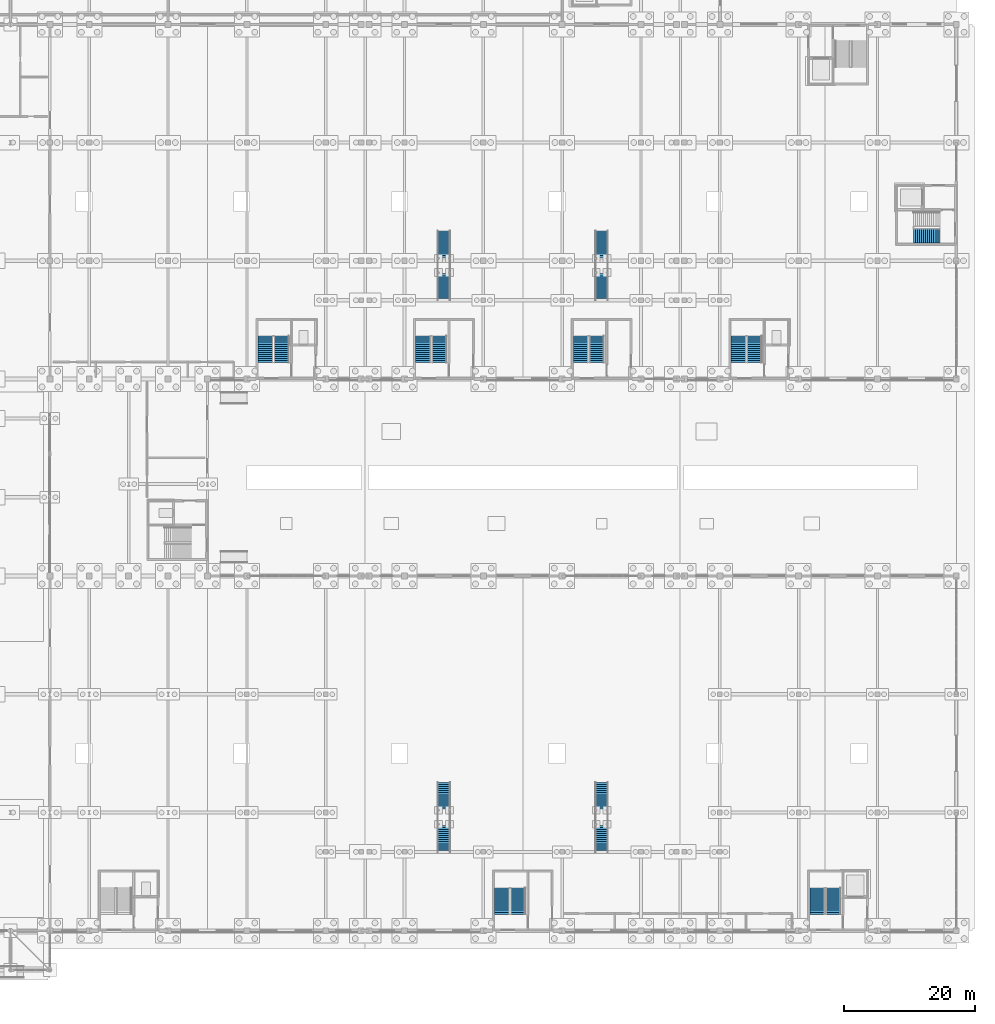
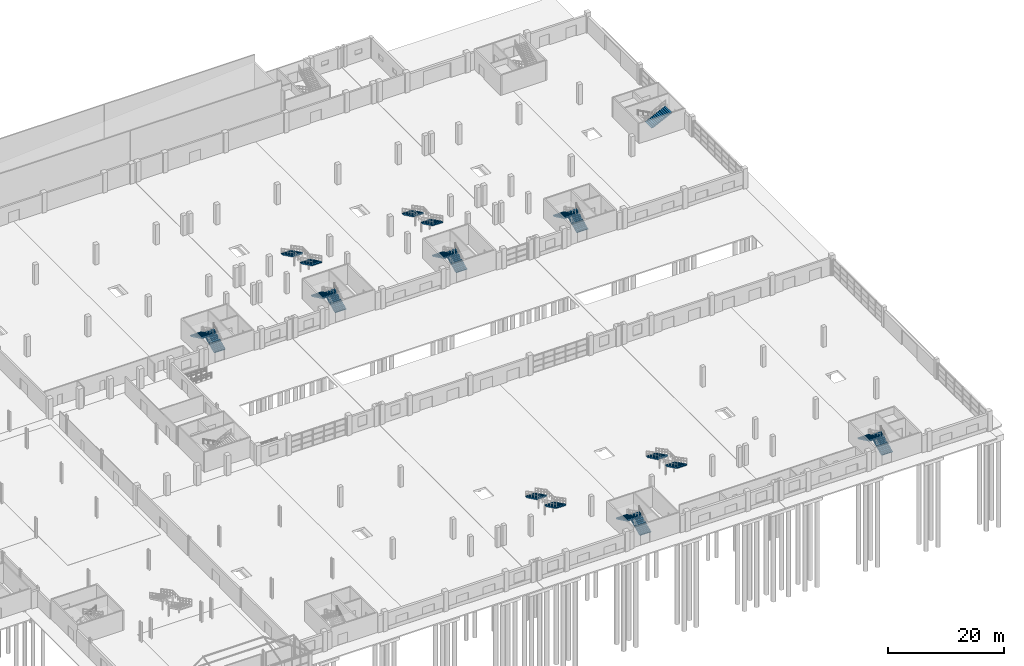
# One storey, part 68 of 77: 21 stair flights, 11 elements without a shape of their own.
"""IFC4 building model written with IfcOpenShell, lengths in metres."""

from ifc_helpers import new_model, si_unit, direction, frame, origin, place, context, subcontext, project, spatial, polyline, outline, extrude, material, type_object, element, aggregate, save


model = new_model("IFC4")

# Units and contexts
model_context = context("Model", 3, precision=1e-05, world=origin(), true_north=direction((0.0, 1.0)))
body_context = subcontext(model_context, "Body", "Model", "MODEL_VIEW")
ifc_project = project(units=[si_unit("LENGTHUNIT", "METRE"), si_unit("AREAUNIT", "SQUARE_METRE"), si_unit("VOLUMEUNIT", "CUBIC_METRE"), si_unit("PLANEANGLEUNIT", "RADIAN"), si_unit("MASSUNIT", "GRAM", prefix="KILO")], contexts=[model_context])

# Site, building, storey
site_placement = place(None, origin())
site = spatial("IfcSite", under=ifc_project, at=site_placement, CompositionType="ELEMENT")
building_placement = place(site_placement, origin())
building = spatial("IfcBuilding", under=site, at=building_placement, Name="Zilviju Railside Exhibition Hall", CompositionType="ELEMENT")
storey_placement = place(building_placement, origin())
storey = spatial("IfcBuildingStorey", under=building, at=storey_placement, Name="L01", CompositionType="ELEMENT", Elevation=0.0)

# Stair, stair flights
ifc_material = material(Name="Concrete C35/45", Category="concrete")
stair_type_1 = type_object("IfcStairType", Name="STAIR-ST-A", PredefinedType="HALF_TURN_STAIR", material=ifc_material)
stair_1_placement = place(storey_placement, origin())
stair_1 = element("IfcStair", 1, at=stair_1_placement, inside=storey, type_object=stair_type_1, Name="Core C04 North Hall Court West Exit Stair L01", PredefinedType="HALF_TURN_STAIR")
stair_flight_type_1 = type_object("IfcStairFlightType", Name="FLIGHT-ST-A", PredefinedType="STRAIGHT", material=ifc_material)
stair_flight_1_placement = place(storey_placement, frame((113.300048828125, 86.5, 0.0), z_axis=(0.0, 0.0, 1.0), x_axis=(0.0, 1.0, 0.0)))
stair_flight_1 = element("IfcStairFlight", 2, at=stair_flight_1_placement, type_object=stair_flight_type_1, Name="ST-04 flight 1", NumberOfRisers=14, NumberOfTreads=13, PredefinedType="STRAIGHT", RiserHeight=0.15, TreadLength=0.31, context=body_context, shape_type="SweptSolid", body=[
    extrude(outline(polyline([(0.0, 0.0), (0.0, 0.14990234375), (0.31005859375, 0.14990234375), (0.31005859375, 0.300048828125), (0.6201171875, 0.300048828125), (0.6201171875, 0.449951171875), (0.929931640625, 0.449951171875), (0.929931640625, 0.60009765625), (1.239990234375, 0.60009765625), (1.239990234375, 0.75), (1.550048828125, 0.75), (1.550048828125, 0.89990234375), (1.860107421875, 0.89990234375), (1.860107421875, 1.050048828125), (2.169921875, 1.050048828125), (2.169921875, 1.199951171875), (2.47998046875, 1.199951171875), (2.47998046875, 1.35009765625), (2.7900390625, 1.35009765625), (2.7900390625, 1.5), (3.10009765625, 1.5), (3.10009765625, 1.64990234375), (3.409912109375, 1.64990234375), (3.409912109375, 1.800048828125), (3.719970703125, 1.800048828125), (3.719970703125, 1.949951171875), (4.030029296875, 1.949951171875), (4.030029296875, 2.10009765625), (4.030029296875, 1.75), (0.4130859375, 0.0), (0.0, 0.0)])), frame((0.0, 1.1201171875, 0.0), z_axis=(0.0, -1.0, 0.0), x_axis=(1.0, 0.0, 0.0)), (0.0, 0.0, 1.0), 2.239990234375),
])
stair_flight_2_placement = place(storey_placement, frame((110.800048828125, 90.530029296875, 2.10009765625), z_axis=(0.0, 0.0, 1.0), x_axis=(0.0, -1.0, 0.0)))
stair_flight_2 = element("IfcStairFlight", 3, at=stair_flight_2_placement, type_object=stair_flight_type_1, Name="ST-04 flight 2", NumberOfRisers=14, NumberOfTreads=13, PredefinedType="STRAIGHT", RiserHeight=0.15, TreadLength=0.31, context=body_context, shape_type="SweptSolid", body=[
    extrude(outline(polyline([(0.0, 0.0), (0.0, 0.14990234375), (0.31005859375, 0.14990234375), (0.31005859375, 0.300048828125), (0.6201171875, 0.300048828125), (0.6201171875, 0.449951171875), (0.929931640625, 0.449951171875), (0.929931640625, 0.60009765625), (1.239990234375, 0.60009765625), (1.239990234375, 0.75), (1.550048828125, 0.75), (1.550048828125, 0.89990234375), (1.860107421875, 0.89990234375), (1.860107421875, 1.050048828125), (2.169921875, 1.050048828125), (2.169921875, 1.199951171875), (2.47998046875, 1.199951171875), (2.47998046875, 1.35009765625), (2.7900390625, 1.35009765625), (2.7900390625, 1.5), (3.10009765625, 1.5), (3.10009765625, 1.64990234375), (3.409912109375, 1.64990234375), (3.409912109375, 1.800048828125), (3.719970703125, 1.800048828125), (3.719970703125, 1.949951171875), (4.030029296875, 1.949951171875), (4.030029296875, 2.10009765625), (4.030029296875, 1.75), (0.4130859375, 0.0), (0.0, 0.0)])), frame((0.0, 1.1201171875, 0.0), z_axis=(0.0, -1.0, 0.0), x_axis=(1.0, 0.0, 0.0)), (0.0, 0.0, 1.0), 2.239990234375),
])
aggregate(stair_1, [stair_flight_1, stair_flight_2])

stair_2_placement = place(storey_placement, origin())
stair_2 = element("IfcStair", 4, at=stair_2_placement, inside=storey, type_object=stair_type_1, Name="Core C07 North Hall Court East Exit Stair L01", PredefinedType="HALF_TURN_STAIR")
stair_flight_3_placement = place(storey_placement, frame((185.300048828125, 86.5, 0.0), z_axis=(0.0, 0.0, 1.0), x_axis=(0.0, 1.0, 0.0)))
stair_flight_3 = element("IfcStairFlight", 5, at=stair_flight_3_placement, type_object=stair_flight_type_1, Name="ST-07 flight 1", NumberOfRisers=14, NumberOfTreads=13, PredefinedType="STRAIGHT", RiserHeight=0.15, TreadLength=0.31, context=body_context, shape_type="SweptSolid", body=[
    extrude(outline(polyline([(0.0, 0.0), (0.0, 0.14990234375), (0.31005859375, 0.14990234375), (0.31005859375, 0.300048828125), (0.6201171875, 0.300048828125), (0.6201171875, 0.449951171875), (0.929931640625, 0.449951171875), (0.929931640625, 0.60009765625), (1.239990234375, 0.60009765625), (1.239990234375, 0.75), (1.550048828125, 0.75), (1.550048828125, 0.89990234375), (1.860107421875, 0.89990234375), (1.860107421875, 1.050048828125), (2.169921875, 1.050048828125), (2.169921875, 1.199951171875), (2.47998046875, 1.199951171875), (2.47998046875, 1.35009765625), (2.7900390625, 1.35009765625), (2.7900390625, 1.5), (3.10009765625, 1.5), (3.10009765625, 1.64990234375), (3.409912109375, 1.64990234375), (3.409912109375, 1.800048828125), (3.719970703125, 1.800048828125), (3.719970703125, 1.949951171875), (4.030029296875, 1.949951171875), (4.030029296875, 2.10009765625), (4.030029296875, 1.75), (0.4130859375, 0.0), (0.0, 0.0)])), frame((0.0, 1.1201171875, 0.0), z_axis=(0.0, -1.0, 0.0), x_axis=(1.0, 0.0, 0.0)), (0.0, 0.0, 1.0), 2.239990234375),
])
stair_flight_4_placement = place(storey_placement, frame((182.800048828125, 90.530029296875, 2.10009765625), z_axis=(0.0, 0.0, 1.0), x_axis=(0.0, -1.0, 0.0)))
stair_flight_4 = element("IfcStairFlight", 6, at=stair_flight_4_placement, type_object=stair_flight_type_1, Name="ST-07 flight 2", NumberOfRisers=14, NumberOfTreads=13, PredefinedType="STRAIGHT", RiserHeight=0.15, TreadLength=0.31, context=body_context, shape_type="SweptSolid", body=[
    extrude(outline(polyline([(0.0, 0.0), (0.0, 0.14990234375), (0.31005859375, 0.14990234375), (0.31005859375, 0.300048828125), (0.6201171875, 0.300048828125), (0.6201171875, 0.449951171875), (0.929931640625, 0.449951171875), (0.929931640625, 0.60009765625), (1.239990234375, 0.60009765625), (1.239990234375, 0.75), (1.550048828125, 0.75), (1.550048828125, 0.89990234375), (1.860107421875, 0.89990234375), (1.860107421875, 1.050048828125), (2.169921875, 1.050048828125), (2.169921875, 1.199951171875), (2.47998046875, 1.199951171875), (2.47998046875, 1.35009765625), (2.7900390625, 1.35009765625), (2.7900390625, 1.5), (3.10009765625, 1.5), (3.10009765625, 1.64990234375), (3.409912109375, 1.64990234375), (3.409912109375, 1.800048828125), (3.719970703125, 1.800048828125), (3.719970703125, 1.949951171875), (4.030029296875, 1.949951171875), (4.030029296875, 2.10009765625), (4.030029296875, 1.75), (0.4130859375, 0.0), (0.0, 0.0)])), frame((0.0, 1.1201171875, 0.0), z_axis=(0.0, -1.0, 0.0), x_axis=(1.0, 0.0, 0.0)), (0.0, 0.0, 1.0), 2.239990234375),
])
aggregate(stair_2, [stair_flight_3, stair_flight_4])

stair_type_2 = type_object("IfcStairType", Name="STAIR-ST-B", PredefinedType="HALF_TURN_STAIR", material=ifc_material)
stair_3_placement = place(storey_placement, origin())
stair_3 = element("IfcStair", 7, at=stair_3_placement, inside=storey, type_object=stair_type_2, Name="Core C02 South Hall Mid Exit Stair L01", PredefinedType="HALF_TURN_STAIR")
stair_flight_type_2 = type_object("IfcStairFlightType", Name="FLIGHT-ST-B", PredefinedType="STRAIGHT", material=ifc_material)
stair_flight_5_placement = place(storey_placement, frame((149.300048828125, 2.5, 0.0), z_axis=(0.0, 0.0, 1.0), x_axis=(0.0, 1.0, 0.0)))
stair_flight_5 = element("IfcStairFlight", 8, at=stair_flight_5_placement, type_object=stair_flight_type_2, Name="ST-02 flight 1", NumberOfRisers=14, NumberOfTreads=13, PredefinedType="STRAIGHT", RiserHeight=0.15, TreadLength=0.31, context=body_context, shape_type="SweptSolid", body=[
    extrude(outline(polyline([(0.0, 0.0), (0.0, 0.14990234375), (0.31005859375, 0.14990234375), (0.31005859375, 0.300048828125), (0.6201171875, 0.300048828125), (0.6201171875, 0.449951171875), (0.929931640625, 0.449951171875), (0.929931640625, 0.60009765625), (1.239990234375, 0.60009765625), (1.239990234375, 0.75), (1.550048828125, 0.75), (1.550048828125, 0.89990234375), (1.860107421875, 0.89990234375), (1.860107421875, 1.050048828125), (2.169921875, 1.050048828125), (2.169921875, 1.199951171875), (2.47998046875, 1.199951171875), (2.47998046875, 1.35009765625), (2.7900390625, 1.35009765625), (2.7900390625, 1.5), (3.10009765625, 1.5), (3.10009765625, 1.64990234375), (3.409912109375, 1.64990234375), (3.409912109375, 1.800048828125), (3.719970703125, 1.800048828125), (3.719970703125, 1.949951171875), (4.030029296875, 1.949951171875), (4.030029296875, 2.10009765625), (4.030029296875, 1.75), (0.4130859375, 0.0), (0.0, 0.0)])), frame((0.0, 1.10986328125, 0.0), z_axis=(0.0, -1.0, 0.0), x_axis=(1.0, 0.0, 0.0)), (0.0, 0.0, 1.0), 2.219970703125),
])
stair_flight_6_placement = place(storey_placement, frame((146.800048828125, 6.530029296875, 2.10009765625), z_axis=(0.0, 0.0, 1.0), x_axis=(0.0, -1.0, 0.0)))
stair_flight_6 = element("IfcStairFlight", 9, at=stair_flight_6_placement, type_object=stair_flight_type_2, Name="ST-02 flight 2", NumberOfRisers=14, NumberOfTreads=13, PredefinedType="STRAIGHT", RiserHeight=0.15, TreadLength=0.31, context=body_context, shape_type="SweptSolid", body=[
    extrude(outline(polyline([(0.0, 0.0), (0.0, 0.14990234375), (0.31005859375, 0.14990234375), (0.31005859375, 0.300048828125), (0.6201171875, 0.300048828125), (0.6201171875, 0.449951171875), (0.929931640625, 0.449951171875), (0.929931640625, 0.60009765625), (1.239990234375, 0.60009765625), (1.239990234375, 0.75), (1.550048828125, 0.75), (1.550048828125, 0.89990234375), (1.860107421875, 0.89990234375), (1.860107421875, 1.050048828125), (2.169921875, 1.050048828125), (2.169921875, 1.199951171875), (2.47998046875, 1.199951171875), (2.47998046875, 1.35009765625), (2.7900390625, 1.35009765625), (2.7900390625, 1.5), (3.10009765625, 1.5), (3.10009765625, 1.64990234375), (3.409912109375, 1.64990234375), (3.409912109375, 1.800048828125), (3.719970703125, 1.800048828125), (3.719970703125, 1.949951171875), (4.030029296875, 1.949951171875), (4.030029296875, 2.10009765625), (4.030029296875, 1.75), (0.4130859375, 0.0), (0.0, 0.0)])), frame((0.0, 1.10986328125, 0.0), z_axis=(0.0, -1.0, 0.0), x_axis=(1.0, 0.0, 0.0)), (0.0, 0.0, 1.0), 2.219970703125),
])
aggregate(stair_3, [stair_flight_5, stair_flight_6])

stair_4_placement = place(storey_placement, origin())
stair_4 = element("IfcStair", 10, at=stair_4_placement, inside=storey, type_object=stair_type_2, Name="Core C05 North Hall Court MidW Exit Stair L01", PredefinedType="HALF_TURN_STAIR")
stair_flight_7_placement = place(storey_placement, frame((137.300048828125, 86.5, 0.0), z_axis=(0.0, 0.0, 1.0), x_axis=(0.0, 1.0, 0.0)))
stair_flight_7 = element("IfcStairFlight", 11, at=stair_flight_7_placement, type_object=stair_flight_type_2, Name="ST-05 flight 1", NumberOfRisers=14, NumberOfTreads=13, PredefinedType="STRAIGHT", RiserHeight=0.15, TreadLength=0.31, context=body_context, shape_type="SweptSolid", body=[
    extrude(outline(polyline([(0.0, 0.0), (0.0, 0.14990234375), (0.31005859375, 0.14990234375), (0.31005859375, 0.300048828125), (0.6201171875, 0.300048828125), (0.6201171875, 0.449951171875), (0.929931640625, 0.449951171875), (0.929931640625, 0.60009765625), (1.239990234375, 0.60009765625), (1.239990234375, 0.75), (1.550048828125, 0.75), (1.550048828125, 0.89990234375), (1.860107421875, 0.89990234375), (1.860107421875, 1.050048828125), (2.169921875, 1.050048828125), (2.169921875, 1.199951171875), (2.47998046875, 1.199951171875), (2.47998046875, 1.35009765625), (2.7900390625, 1.35009765625), (2.7900390625, 1.5), (3.10009765625, 1.5), (3.10009765625, 1.64990234375), (3.409912109375, 1.64990234375), (3.409912109375, 1.800048828125), (3.719970703125, 1.800048828125), (3.719970703125, 1.949951171875), (4.030029296875, 1.949951171875), (4.030029296875, 2.10009765625), (4.030029296875, 1.75), (0.4130859375, 0.0), (0.0, 0.0)])), frame((0.0, 1.10986328125, 0.0), z_axis=(0.0, -1.0, 0.0), x_axis=(1.0, 0.0, 0.0)), (0.0, 0.0, 1.0), 2.219970703125),
])
stair_flight_8_placement = place(storey_placement, frame((134.800048828125, 90.530029296875, 2.10009765625), z_axis=(0.0, 0.0, 1.0), x_axis=(0.0, -1.0, 0.0)))
stair_flight_8 = element("IfcStairFlight", 12, at=stair_flight_8_placement, type_object=stair_flight_type_2, Name="ST-05 flight 2", NumberOfRisers=14, NumberOfTreads=13, PredefinedType="STRAIGHT", RiserHeight=0.15, TreadLength=0.31, context=body_context, shape_type="SweptSolid", body=[
    extrude(outline(polyline([(0.0, 0.0), (0.0, 0.14990234375), (0.31005859375, 0.14990234375), (0.31005859375, 0.300048828125), (0.6201171875, 0.300048828125), (0.6201171875, 0.449951171875), (0.929931640625, 0.449951171875), (0.929931640625, 0.60009765625), (1.239990234375, 0.60009765625), (1.239990234375, 0.75), (1.550048828125, 0.75), (1.550048828125, 0.89990234375), (1.860107421875, 0.89990234375), (1.860107421875, 1.050048828125), (2.169921875, 1.050048828125), (2.169921875, 1.199951171875), (2.47998046875, 1.199951171875), (2.47998046875, 1.35009765625), (2.7900390625, 1.35009765625), (2.7900390625, 1.5), (3.10009765625, 1.5), (3.10009765625, 1.64990234375), (3.409912109375, 1.64990234375), (3.409912109375, 1.800048828125), (3.719970703125, 1.800048828125), (3.719970703125, 1.949951171875), (4.030029296875, 1.949951171875), (4.030029296875, 2.10009765625), (4.030029296875, 1.75), (0.4130859375, 0.0), (0.0, 0.0)])), frame((0.0, 1.10986328125, 0.0), z_axis=(0.0, -1.0, 0.0), x_axis=(1.0, 0.0, 0.0)), (0.0, 0.0, 1.0), 2.219970703125),
])
aggregate(stair_4, [stair_flight_7, stair_flight_8])

stair_type_3 = type_object("IfcStairType", Name="STAIR-ST-C", PredefinedType="HALF_TURN_STAIR", material=ifc_material)
stair_5_placement = place(storey_placement, origin())
stair_5 = element("IfcStair", 13, at=stair_5_placement, inside=storey, type_object=stair_type_3, Name="Core C03 South Hall East Exit Stair L01", PredefinedType="HALF_TURN_STAIR")
stair_flight_type_3 = type_object("IfcStairFlightType", Name="FLIGHT-ST-C", PredefinedType="STRAIGHT", material=ifc_material)
stair_flight_9_placement = place(storey_placement, frame((197.300048828125, 2.5, 0.0), z_axis=(0.0, 0.0, 1.0), x_axis=(0.0, 1.0, 0.0)))
stair_flight_9 = element("IfcStairFlight", 14, at=stair_flight_9_placement, type_object=stair_flight_type_3, Name="ST-03 flight 1", NumberOfRisers=14, NumberOfTreads=13, PredefinedType="STRAIGHT", RiserHeight=0.15, TreadLength=0.31, context=body_context, shape_type="SweptSolid", body=[
    extrude(outline(polyline([(0.0, 0.0), (0.0, 0.14990234375), (0.31005859375, 0.14990234375), (0.31005859375, 0.300048828125), (0.6201171875, 0.300048828125), (0.6201171875, 0.449951171875), (0.929931640625, 0.449951171875), (0.929931640625, 0.60009765625), (1.239990234375, 0.60009765625), (1.239990234375, 0.75), (1.550048828125, 0.75), (1.550048828125, 0.89990234375), (1.860107421875, 0.89990234375), (1.860107421875, 1.050048828125), (2.169921875, 1.050048828125), (2.169921875, 1.199951171875), (2.47998046875, 1.199951171875), (2.47998046875, 1.35009765625), (2.7900390625, 1.35009765625), (2.7900390625, 1.5), (3.10009765625, 1.5), (3.10009765625, 1.64990234375), (3.409912109375, 1.64990234375), (3.409912109375, 1.800048828125), (3.719970703125, 1.800048828125), (3.719970703125, 1.949951171875), (4.030029296875, 1.949951171875), (4.030029296875, 2.10009765625), (4.030029296875, 1.75), (0.4130859375, 0.0), (0.0, 0.0)])), frame((0.0, 1.10009765625, 0.0), z_axis=(0.0, -1.0, 0.0), x_axis=(1.0, 0.0, 0.0)), (0.0, 0.0, 1.0), 2.199951171875),
])
stair_flight_10_placement = place(storey_placement, frame((194.800048828125, 6.530029296875, 2.10009765625), z_axis=(0.0, 0.0, 1.0), x_axis=(0.0, -1.0, 0.0)))
stair_flight_10 = element("IfcStairFlight", 15, at=stair_flight_10_placement, type_object=stair_flight_type_3, Name="ST-03 flight 2", NumberOfRisers=14, NumberOfTreads=13, PredefinedType="STRAIGHT", RiserHeight=0.15, TreadLength=0.31, context=body_context, shape_type="SweptSolid", body=[
    extrude(outline(polyline([(0.0, 0.0), (0.0, 0.14990234375), (0.31005859375, 0.14990234375), (0.31005859375, 0.300048828125), (0.6201171875, 0.300048828125), (0.6201171875, 0.449951171875), (0.929931640625, 0.449951171875), (0.929931640625, 0.60009765625), (1.239990234375, 0.60009765625), (1.239990234375, 0.75), (1.550048828125, 0.75), (1.550048828125, 0.89990234375), (1.860107421875, 0.89990234375), (1.860107421875, 1.050048828125), (2.169921875, 1.050048828125), (2.169921875, 1.199951171875), (2.47998046875, 1.199951171875), (2.47998046875, 1.35009765625), (2.7900390625, 1.35009765625), (2.7900390625, 1.5), (3.10009765625, 1.5), (3.10009765625, 1.64990234375), (3.409912109375, 1.64990234375), (3.409912109375, 1.800048828125), (3.719970703125, 1.800048828125), (3.719970703125, 1.949951171875), (4.030029296875, 1.949951171875), (4.030029296875, 2.10009765625), (4.030029296875, 1.75), (0.4130859375, 0.0), (0.0, 0.0)])), frame((0.0, 1.10009765625, 0.0), z_axis=(0.0, -1.0, 0.0), x_axis=(1.0, 0.0, 0.0)), (0.0, 0.0, 1.0), 2.199951171875),
])
aggregate(stair_5, [stair_flight_9, stair_flight_10])

stair_6_placement = place(storey_placement, origin())
stair_6 = element("IfcStair", 16, at=stair_6_placement, inside=storey, type_object=stair_type_3, Name="Core C06 North Hall Court MidE Exit Stair L01", PredefinedType="HALF_TURN_STAIR")
stair_flight_11_placement = place(storey_placement, frame((161.300048828125, 86.5, 0.0), z_axis=(0.0, 0.0, 1.0), x_axis=(0.0, 1.0, 0.0)))
stair_flight_11 = element("IfcStairFlight", 17, at=stair_flight_11_placement, type_object=stair_flight_type_3, Name="ST-06 flight 1", NumberOfRisers=14, NumberOfTreads=13, PredefinedType="STRAIGHT", RiserHeight=0.15, TreadLength=0.31, context=body_context, shape_type="SweptSolid", body=[
    extrude(outline(polyline([(0.0, 0.0), (0.0, 0.14990234375), (0.31005859375, 0.14990234375), (0.31005859375, 0.300048828125), (0.6201171875, 0.300048828125), (0.6201171875, 0.449951171875), (0.929931640625, 0.449951171875), (0.929931640625, 0.60009765625), (1.239990234375, 0.60009765625), (1.239990234375, 0.75), (1.550048828125, 0.75), (1.550048828125, 0.89990234375), (1.860107421875, 0.89990234375), (1.860107421875, 1.050048828125), (2.169921875, 1.050048828125), (2.169921875, 1.199951171875), (2.47998046875, 1.199951171875), (2.47998046875, 1.35009765625), (2.7900390625, 1.35009765625), (2.7900390625, 1.5), (3.10009765625, 1.5), (3.10009765625, 1.64990234375), (3.409912109375, 1.64990234375), (3.409912109375, 1.800048828125), (3.719970703125, 1.800048828125), (3.719970703125, 1.949951171875), (4.030029296875, 1.949951171875), (4.030029296875, 2.10009765625), (4.030029296875, 1.75), (0.4130859375, 0.0), (0.0, 0.0)])), frame((0.0, 1.10009765625, 0.0), z_axis=(0.0, -1.0, 0.0), x_axis=(1.0, 0.0, 0.0)), (0.0, 0.0, 1.0), 2.199951171875),
])
stair_flight_12_placement = place(storey_placement, frame((158.800048828125, 90.530029296875, 2.10009765625), z_axis=(0.0, 0.0, 1.0), x_axis=(0.0, -1.0, 0.0)))
stair_flight_12 = element("IfcStairFlight", 18, at=stair_flight_12_placement, type_object=stair_flight_type_3, Name="ST-06 flight 2", NumberOfRisers=14, NumberOfTreads=13, PredefinedType="STRAIGHT", RiserHeight=0.15, TreadLength=0.31, context=body_context, shape_type="SweptSolid", body=[
    extrude(outline(polyline([(0.0, 0.0), (0.0, 0.14990234375), (0.31005859375, 0.14990234375), (0.31005859375, 0.300048828125), (0.6201171875, 0.300048828125), (0.6201171875, 0.449951171875), (0.929931640625, 0.449951171875), (0.929931640625, 0.60009765625), (1.239990234375, 0.60009765625), (1.239990234375, 0.75), (1.550048828125, 0.75), (1.550048828125, 0.89990234375), (1.860107421875, 0.89990234375), (1.860107421875, 1.050048828125), (2.169921875, 1.050048828125), (2.169921875, 1.199951171875), (2.47998046875, 1.199951171875), (2.47998046875, 1.35009765625), (2.7900390625, 1.35009765625), (2.7900390625, 1.5), (3.10009765625, 1.5), (3.10009765625, 1.64990234375), (3.409912109375, 1.64990234375), (3.409912109375, 1.800048828125), (3.719970703125, 1.800048828125), (3.719970703125, 1.949951171875), (4.030029296875, 1.949951171875), (4.030029296875, 2.10009765625), (4.030029296875, 1.75), (0.4130859375, 0.0), (0.0, 0.0)])), frame((0.0, 1.10009765625, 0.0), z_axis=(0.0, -1.0, 0.0), x_axis=(1.0, 0.0, 0.0)), (0.0, 0.0, 1.0), 2.199951171875),
])
aggregate(stair_6, [stair_flight_11, stair_flight_12])

# Stair, stair flight
stair_7_placement = place(storey_placement, origin())
stair_7 = element("IfcStair", 19, at=stair_7_placement, inside=storey, type_object=stair_type_3, Name="Core C09 North Hall Gable East Exit Stair L01", PredefinedType="HALF_TURN_STAIR")
stair_flight_13_placement = place(storey_placement, frame((209.469970703125, 105.800048828125, 2.10009765625), z_axis=(0.0, 0.0, 1.0), x_axis=(1.0, 0.0, 0.0)))
stair_flight_13 = element("IfcStairFlight", 20, at=stair_flight_13_placement, type_object=stair_flight_type_3, Name="ST-09 flight 2", NumberOfRisers=14, NumberOfTreads=13, PredefinedType="STRAIGHT", RiserHeight=0.15, TreadLength=0.31, context=body_context, shape_type="SweptSolid", body=[
    extrude(outline(polyline([(0.0, 0.0), (0.0, 0.14990234375), (0.31005859375, 0.14990234375), (0.31005859375, 0.300048828125), (0.6201171875, 0.300048828125), (0.6201171875, 0.449951171875), (0.929931640625, 0.449951171875), (0.929931640625, 0.60009765625), (1.239990234375, 0.60009765625), (1.239990234375, 0.75), (1.550048828125, 0.75), (1.550048828125, 0.89990234375), (1.860107421875, 0.89990234375), (1.860107421875, 1.050048828125), (2.169921875, 1.050048828125), (2.169921875, 1.199951171875), (2.47998046875, 1.199951171875), (2.47998046875, 1.35009765625), (2.7900390625, 1.35009765625), (2.7900390625, 1.5), (3.10009765625, 1.5), (3.10009765625, 1.64990234375), (3.409912109375, 1.64990234375), (3.409912109375, 1.800048828125), (3.719970703125, 1.800048828125), (3.719970703125, 1.949951171875), (4.030029296875, 1.949951171875), (4.030029296875, 2.10009765625), (4.030029296875, 1.75), (0.4130859375, 0.0), (0.0, 0.0)])), frame((0.0, 1.10009765625, 0.0), z_axis=(0.0, -1.0, 0.0), x_axis=(1.0, 0.0, 0.0)), (0.0, 0.0, 1.0), 2.199951171875),
])
aggregate(stair_7, [stair_flight_13])

# Stair, stair flights
stair_type_4 = type_object("IfcStairType", Name="STAIR-ST-FEAT2", PredefinedType="STRAIGHT_RUN_STAIR", material=ifc_material)
stair_8_placement = place(storey_placement, origin())
stair_8 = element("IfcStair", 21, at=stair_8_placement, inside=storey, type_object=stair_type_4, Name="Grand Straight Feature Stair ST-20", PredefinedType="STRAIGHT_RUN_STAIR")
stair_flight_type_4 = type_object("IfcStairFlightType", Name="FLIGHT-ST-FEAT2", PredefinedType="STRAIGHT", material=ifc_material)
stair_flight_14_placement = place(storey_placement, frame((138.0, 22.56005859375, 0.0), z_axis=(0.0, 0.0, 1.0), x_axis=(0.0, -1.0, 0.0)))
stair_flight_14 = element("IfcStairFlight", 22, at=stair_flight_14_placement, type_object=stair_flight_type_4, Name="ST-20 flight 1", NumberOfRisers=14, NumberOfTreads=13, PredefinedType="STRAIGHT", RiserHeight=0.15, TreadLength=0.31, context=body_context, shape_type="SweptSolid", body=[
    extrude(outline(polyline([(0.0, 0.0), (0.0, 0.14990234375), (0.31005859375, 0.14990234375), (0.31005859375, 0.300048828125), (0.6201171875, 0.300048828125), (0.6201171875, 0.449951171875), (0.929931640625, 0.449951171875), (0.929931640625, 0.60009765625), (1.239990234375, 0.60009765625), (1.239990234375, 0.75), (1.550048828125, 0.75), (1.550048828125, 0.89990234375), (1.860107421875, 0.89990234375), (1.860107421875, 1.050048828125), (2.169921875, 1.050048828125), (2.169921875, 1.199951171875), (2.47998046875, 1.199951171875), (2.47998046875, 1.35009765625), (2.7900390625, 1.35009765625), (2.7900390625, 1.5), (3.10009765625, 1.5), (3.10009765625, 1.64990234375), (3.409912109375, 1.64990234375), (3.409912109375, 1.800048828125), (3.719970703125, 1.800048828125), (3.719970703125, 1.949951171875), (4.030029296875, 1.949951171875), (4.030029296875, 2.10009765625), (4.030029296875, 1.727783203125), (0.458984375, 0.0), (0.0, 0.0)])), frame((0.0, 1.0, 0.0), z_axis=(0.0, -1.0, 0.0), x_axis=(1.0, 0.0, 0.0)), (0.0, 0.0, 1.0), 2.0),
])
stair_flight_15_placement = place(storey_placement, frame((138.0, 16.030029296875, 2.10009765625), z_axis=(0.0, 0.0, 1.0), x_axis=(0.0, -1.0, 0.0)))
stair_flight_15 = element("IfcStairFlight", 23, at=stair_flight_15_placement, type_object=stair_flight_type_4, Name="ST-20 flight 2", NumberOfRisers=14, NumberOfTreads=13, PredefinedType="STRAIGHT", RiserHeight=0.15, TreadLength=0.31, context=body_context, shape_type="SweptSolid", body=[
    extrude(outline(polyline([(0.0, 0.0), (0.0, 0.14990234375), (0.31005859375, 0.14990234375), (0.31005859375, 0.300048828125), (0.6201171875, 0.300048828125), (0.6201171875, 0.449951171875), (0.929931640625, 0.449951171875), (0.929931640625, 0.60009765625), (1.239990234375, 0.60009765625), (1.239990234375, 0.75), (1.550048828125, 0.75), (1.550048828125, 0.89990234375), (1.860107421875, 0.89990234375), (1.860107421875, 1.050048828125), (2.169921875, 1.050048828125), (2.169921875, 1.199951171875), (2.47998046875, 1.199951171875), (2.47998046875, 1.35009765625), (2.7900390625, 1.35009765625), (2.7900390625, 1.5), (3.10009765625, 1.5), (3.10009765625, 1.64990234375), (3.409912109375, 1.64990234375), (3.409912109375, 1.800048828125), (3.719970703125, 1.800048828125), (3.719970703125, 1.949951171875), (4.030029296875, 1.949951171875), (4.030029296875, 2.10009765625), (4.030029296875, 1.727783203125), (0.458984375, 0.0), (0.0, 0.0)])), frame((0.0, 1.0, 0.0), z_axis=(0.0, -1.0, 0.0), x_axis=(1.0, 0.0, 0.0)), (0.0, 0.0, 1.0), 2.0),
])
aggregate(stair_8, [stair_flight_14, stair_flight_15])

stair_9_placement = place(storey_placement, origin())
stair_9 = element("IfcStair", 24, at=stair_9_placement, inside=storey, type_object=stair_type_4, Name="Grand Straight Feature Stair ST-21", PredefinedType="STRAIGHT_RUN_STAIR")
stair_flight_16_placement = place(storey_placement, frame((162.0, 22.56005859375, 0.0), z_axis=(0.0, 0.0, 1.0), x_axis=(0.0, -1.0, 0.0)))
stair_flight_16 = element("IfcStairFlight", 25, at=stair_flight_16_placement, type_object=stair_flight_type_4, Name="ST-21 flight 1", NumberOfRisers=14, NumberOfTreads=13, PredefinedType="STRAIGHT", RiserHeight=0.15, TreadLength=0.31, context=body_context, shape_type="SweptSolid", body=[
    extrude(outline(polyline([(0.0, 0.0), (0.0, 0.14990234375), (0.31005859375, 0.14990234375), (0.31005859375, 0.300048828125), (0.6201171875, 0.300048828125), (0.6201171875, 0.449951171875), (0.929931640625, 0.449951171875), (0.929931640625, 0.60009765625), (1.239990234375, 0.60009765625), (1.239990234375, 0.75), (1.550048828125, 0.75), (1.550048828125, 0.89990234375), (1.860107421875, 0.89990234375), (1.860107421875, 1.050048828125), (2.169921875, 1.050048828125), (2.169921875, 1.199951171875), (2.47998046875, 1.199951171875), (2.47998046875, 1.35009765625), (2.7900390625, 1.35009765625), (2.7900390625, 1.5), (3.10009765625, 1.5), (3.10009765625, 1.64990234375), (3.409912109375, 1.64990234375), (3.409912109375, 1.800048828125), (3.719970703125, 1.800048828125), (3.719970703125, 1.949951171875), (4.030029296875, 1.949951171875), (4.030029296875, 2.10009765625), (4.030029296875, 1.727783203125), (0.458984375, 0.0), (0.0, 0.0)])), frame((0.0, 1.0, 0.0), z_axis=(0.0, -1.0, 0.0), x_axis=(1.0, 0.0, 0.0)), (0.0, 0.0, 1.0), 2.0),
])
stair_flight_17_placement = place(storey_placement, frame((162.0, 16.030029296875, 2.10009765625), z_axis=(0.0, 0.0, 1.0), x_axis=(0.0, -1.0, 0.0)))
stair_flight_17 = element("IfcStairFlight", 26, at=stair_flight_17_placement, type_object=stair_flight_type_4, Name="ST-21 flight 2", NumberOfRisers=14, NumberOfTreads=13, PredefinedType="STRAIGHT", RiserHeight=0.15, TreadLength=0.31, context=body_context, shape_type="SweptSolid", body=[
    extrude(outline(polyline([(0.0, 0.0), (0.0, 0.14990234375), (0.31005859375, 0.14990234375), (0.31005859375, 0.300048828125), (0.6201171875, 0.300048828125), (0.6201171875, 0.449951171875), (0.929931640625, 0.449951171875), (0.929931640625, 0.60009765625), (1.239990234375, 0.60009765625), (1.239990234375, 0.75), (1.550048828125, 0.75), (1.550048828125, 0.89990234375), (1.860107421875, 0.89990234375), (1.860107421875, 1.050048828125), (2.169921875, 1.050048828125), (2.169921875, 1.199951171875), (2.47998046875, 1.199951171875), (2.47998046875, 1.35009765625), (2.7900390625, 1.35009765625), (2.7900390625, 1.5), (3.10009765625, 1.5), (3.10009765625, 1.64990234375), (3.409912109375, 1.64990234375), (3.409912109375, 1.800048828125), (3.719970703125, 1.800048828125), (3.719970703125, 1.949951171875), (4.030029296875, 1.949951171875), (4.030029296875, 2.10009765625), (4.030029296875, 1.727783203125), (0.458984375, 0.0), (0.0, 0.0)])), frame((0.0, 1.0, 0.0), z_axis=(0.0, -1.0, 0.0), x_axis=(1.0, 0.0, 0.0)), (0.0, 0.0, 1.0), 2.0),
])
aggregate(stair_9, [stair_flight_16, stair_flight_17])

stair_10_placement = place(storey_placement, origin())
stair_10 = element("IfcStair", 27, at=stair_10_placement, inside=storey, type_object=stair_type_4, Name="Grand Straight Feature Stair ST-22", PredefinedType="STRAIGHT_RUN_STAIR")
stair_flight_18_placement = place(storey_placement, frame((138.0, 106.56005859375, 0.0), z_axis=(0.0, 0.0, 1.0), x_axis=(0.0, -1.0, 0.0)))
stair_flight_18 = element("IfcStairFlight", 28, at=stair_flight_18_placement, type_object=stair_flight_type_4, Name="ST-22 flight 1", NumberOfRisers=14, NumberOfTreads=13, PredefinedType="STRAIGHT", RiserHeight=0.15, TreadLength=0.31, context=body_context, shape_type="SweptSolid", body=[
    extrude(outline(polyline([(0.0, 0.0), (0.0, 0.14990234375), (0.31005859375, 0.14990234375), (0.31005859375, 0.300048828125), (0.6201171875, 0.300048828125), (0.6201171875, 0.449951171875), (0.929931640625, 0.449951171875), (0.929931640625, 0.60009765625), (1.239990234375, 0.60009765625), (1.239990234375, 0.75), (1.550048828125, 0.75), (1.550048828125, 0.89990234375), (1.860107421875, 0.89990234375), (1.860107421875, 1.050048828125), (2.169921875, 1.050048828125), (2.169921875, 1.199951171875), (2.47998046875, 1.199951171875), (2.47998046875, 1.35009765625), (2.7900390625, 1.35009765625), (2.7900390625, 1.5), (3.10009765625, 1.5), (3.10009765625, 1.64990234375), (3.409912109375, 1.64990234375), (3.409912109375, 1.800048828125), (3.719970703125, 1.800048828125), (3.719970703125, 1.949951171875), (4.030029296875, 1.949951171875), (4.030029296875, 2.10009765625), (4.030029296875, 1.727783203125), (0.458984375, 0.0), (0.0, 0.0)])), frame((0.0, 1.0, 0.0), z_axis=(0.0, -1.0, 0.0), x_axis=(1.0, 0.0, 0.0)), (0.0, 0.0, 1.0), 2.0),
])
stair_flight_19_placement = place(storey_placement, frame((138.0, 100.030029296875, 2.10009765625), z_axis=(0.0, 0.0, 1.0), x_axis=(0.0, -1.0, 0.0)))
stair_flight_19 = element("IfcStairFlight", 29, at=stair_flight_19_placement, type_object=stair_flight_type_4, Name="ST-22 flight 2", NumberOfRisers=14, NumberOfTreads=13, PredefinedType="STRAIGHT", RiserHeight=0.15, TreadLength=0.31, context=body_context, shape_type="SweptSolid", body=[
    extrude(outline(polyline([(0.0, 0.0), (0.0, 0.14990234375), (0.31005859375, 0.14990234375), (0.31005859375, 0.300048828125), (0.6201171875, 0.300048828125), (0.6201171875, 0.449951171875), (0.929931640625, 0.449951171875), (0.929931640625, 0.60009765625), (1.239990234375, 0.60009765625), (1.239990234375, 0.75), (1.550048828125, 0.75), (1.550048828125, 0.89990234375), (1.860107421875, 0.89990234375), (1.860107421875, 1.050048828125), (2.169921875, 1.050048828125), (2.169921875, 1.199951171875), (2.47998046875, 1.199951171875), (2.47998046875, 1.35009765625), (2.7900390625, 1.35009765625), (2.7900390625, 1.5), (3.10009765625, 1.5), (3.10009765625, 1.64990234375), (3.409912109375, 1.64990234375), (3.409912109375, 1.800048828125), (3.719970703125, 1.800048828125), (3.719970703125, 1.949951171875), (4.030029296875, 1.949951171875), (4.030029296875, 2.10009765625), (4.030029296875, 1.727783203125), (0.458984375, 0.0), (0.0, 0.0)])), frame((0.0, 1.0, 0.0), z_axis=(0.0, -1.0, 0.0), x_axis=(1.0, 0.0, 0.0)), (0.0, 0.0, 1.0), 2.0),
])
aggregate(stair_10, [stair_flight_18, stair_flight_19])

stair_11_placement = place(storey_placement, origin())
stair_11 = element("IfcStair", 30, at=stair_11_placement, inside=storey, type_object=stair_type_4, Name="Grand Straight Feature Stair ST-23", PredefinedType="STRAIGHT_RUN_STAIR")
stair_flight_20_placement = place(storey_placement, frame((162.0, 106.56005859375, 0.0), z_axis=(0.0, 0.0, 1.0), x_axis=(0.0, -1.0, 0.0)))
stair_flight_20 = element("IfcStairFlight", 31, at=stair_flight_20_placement, type_object=stair_flight_type_4, Name="ST-23 flight 1", NumberOfRisers=14, NumberOfTreads=13, PredefinedType="STRAIGHT", RiserHeight=0.15, TreadLength=0.31, context=body_context, shape_type="SweptSolid", body=[
    extrude(outline(polyline([(0.0, 0.0), (0.0, 0.14990234375), (0.31005859375, 0.14990234375), (0.31005859375, 0.300048828125), (0.6201171875, 0.300048828125), (0.6201171875, 0.449951171875), (0.929931640625, 0.449951171875), (0.929931640625, 0.60009765625), (1.239990234375, 0.60009765625), (1.239990234375, 0.75), (1.550048828125, 0.75), (1.550048828125, 0.89990234375), (1.860107421875, 0.89990234375), (1.860107421875, 1.050048828125), (2.169921875, 1.050048828125), (2.169921875, 1.199951171875), (2.47998046875, 1.199951171875), (2.47998046875, 1.35009765625), (2.7900390625, 1.35009765625), (2.7900390625, 1.5), (3.10009765625, 1.5), (3.10009765625, 1.64990234375), (3.409912109375, 1.64990234375), (3.409912109375, 1.800048828125), (3.719970703125, 1.800048828125), (3.719970703125, 1.949951171875), (4.030029296875, 1.949951171875), (4.030029296875, 2.10009765625), (4.030029296875, 1.727783203125), (0.458984375, 0.0), (0.0, 0.0)])), frame((0.0, 1.0, 0.0), z_axis=(0.0, -1.0, 0.0), x_axis=(1.0, 0.0, 0.0)), (0.0, 0.0, 1.0), 2.0),
])
stair_flight_21_placement = place(storey_placement, frame((162.0, 100.030029296875, 2.10009765625), z_axis=(0.0, 0.0, 1.0), x_axis=(0.0, -1.0, 0.0)))
stair_flight_21 = element("IfcStairFlight", 32, at=stair_flight_21_placement, type_object=stair_flight_type_4, Name="ST-23 flight 2", NumberOfRisers=14, NumberOfTreads=13, PredefinedType="STRAIGHT", RiserHeight=0.15, TreadLength=0.31, context=body_context, shape_type="SweptSolid", body=[
    extrude(outline(polyline([(0.0, 0.0), (0.0, 0.14990234375), (0.31005859375, 0.14990234375), (0.31005859375, 0.300048828125), (0.6201171875, 0.300048828125), (0.6201171875, 0.449951171875), (0.929931640625, 0.449951171875), (0.929931640625, 0.60009765625), (1.239990234375, 0.60009765625), (1.239990234375, 0.75), (1.550048828125, 0.75), (1.550048828125, 0.89990234375), (1.860107421875, 0.89990234375), (1.860107421875, 1.050048828125), (2.169921875, 1.050048828125), (2.169921875, 1.199951171875), (2.47998046875, 1.199951171875), (2.47998046875, 1.35009765625), (2.7900390625, 1.35009765625), (2.7900390625, 1.5), (3.10009765625, 1.5), (3.10009765625, 1.64990234375), (3.409912109375, 1.64990234375), (3.409912109375, 1.800048828125), (3.719970703125, 1.800048828125), (3.719970703125, 1.949951171875), (4.030029296875, 1.949951171875), (4.030029296875, 2.10009765625), (4.030029296875, 1.727783203125), (0.458984375, 0.0), (0.0, 0.0)])), frame((0.0, 1.0, 0.0), z_axis=(0.0, -1.0, 0.0), x_axis=(1.0, 0.0, 0.0)), (0.0, 0.0, 1.0), 2.0),
])
aggregate(stair_11, [stair_flight_20, stair_flight_21])

save(model, "model.ifc")
